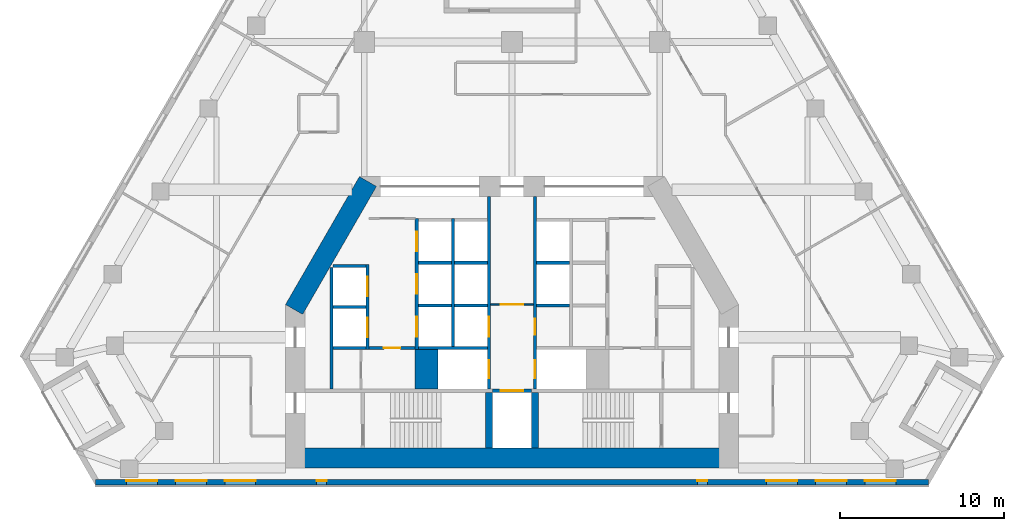
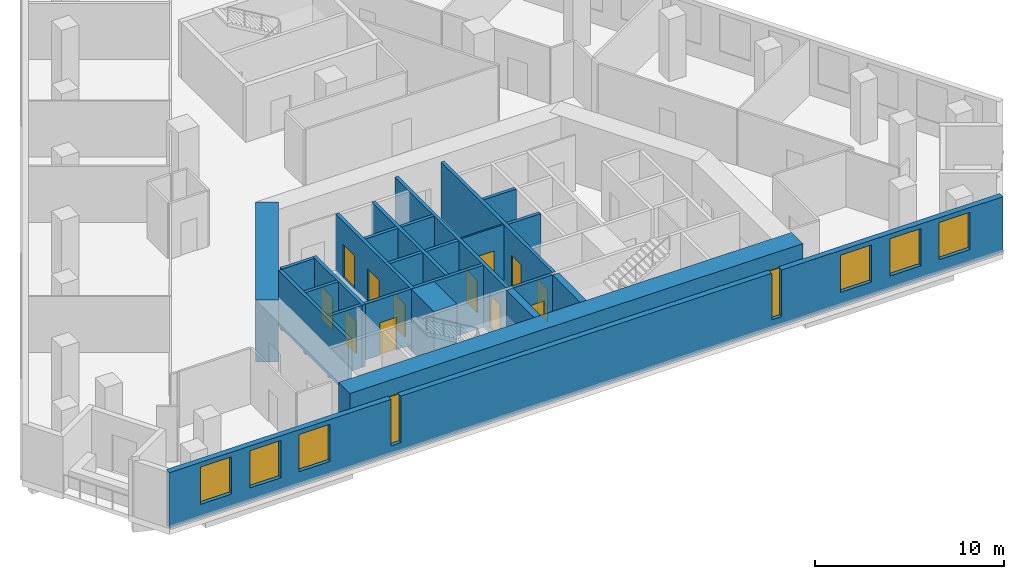
# One storey, part 4 of 10: 25 walls, 12 doors, 8 windows, 20 openings.
"""IFC4 building model written with IfcOpenShell, lengths in metres."""

from ifc_helpers import new_model, si_unit, direction, frame, frame_2d, origin, place, context, subcontext, project, spatial, rectangle, extrude, material, layer, layer_set, type_object, element, fill, save


model = new_model("IFC4")

# Units and contexts
model_context = context("Model", 3, precision=1e-05, world=origin(), true_north=direction((0.0, 1.0)))
body_context = subcontext(model_context, "Body", "Model", "MODEL_VIEW")
ifc_project = project(units=[si_unit("LENGTHUNIT", "METRE"), si_unit("AREAUNIT", "SQUARE_METRE"), si_unit("VOLUMEUNIT", "CUBIC_METRE"), si_unit("PLANEANGLEUNIT", "RADIAN"), si_unit("MASSUNIT", "GRAM", prefix="KILO")], contexts=[model_context])

# Site, building, storey
site_placement = place(None, origin())
site = spatial("IfcSite", under=ifc_project, at=site_placement, CompositionType="ELEMENT")
building_placement = place(site_placement, origin())
building = spatial("IfcBuilding", under=site, at=building_placement, Name="Fogline Exchange Tower", CompositionType="ELEMENT")
storey_placement = place(building_placement, frame((0.0, 0.0, 124.10009765625)))
storey = spatial("IfcBuildingStorey", under=building, at=storey_placement, Name="L27", CompositionType="ELEMENT", Elevation=124.10009765625)

# Wall, opening, door
ifc_material_1 = material(Name="Blockwork partition", Category="masonry")
ifc_layer_1 = layer(ifc_material_1, 0.10009765625)
ifc_layer_set_1 = layer_set([ifc_layer_1], Name="CW10")
wall_type_1 = type_object("IfcWallType", Name="CW10", PredefinedType="PARTITIONING", material=ifc_layer_set_1)
wall_1_placement = place(storey_placement, frame((-1.300048828125, 11.0, 0.0), z_axis=(0.0, 0.0, 1.0), x_axis=(1.0, 0.0, 0.0)))
wall_1 = element("IfcWall", 1, at=wall_1_placement, inside=storey, type_object=wall_type_1, Name="Lift lobby partition", PredefinedType="PARTITIONING", context=body_context, shape_type="SweptSolid", body=[
    extrude(rectangle(XDim=2.60009765625, YDim=0.10009765625, at=frame_2d((1.300048828125, 0.0))), origin(), (0.0, 0.0, 1.0), 3.599853515625),
])
opening_1_placement = place(wall_1_placement, frame((0.60009765625, 0.0, 0.0)))
opening_1 = element("IfcOpeningElement", 2, at=opening_1_placement, cuts=wall_1, Name="Opening T08-C019", PredefinedType="OPENING", context=body_context, shape_type="SweptSolid", body=[
    extrude(rectangle(XDim=1.39990234375, YDim=2.10009765625, at=frame_2d((0.699951171875, 1.050048828125))), frame((0.0, 0.06005859375, 0.0), z_axis=(0.0, -1.0, 0.0), x_axis=(1.0, 0.0, 0.0)), (0.0, 0.0, 1.0), 0.1201171875),
])
ifc_material_2 = material(Name="Steel and timber fire door", Category="steel")
door_type_1 = type_object("IfcDoorType", Name="D-LB1", OperationType="DOUBLE_DOOR_SINGLE_SWING", PredefinedType="DOOR", material=ifc_material_2)
door_1_placement = place(opening_1_placement, frame((1.39990234375, 0.0, 0.0), z_axis=(0.0, 0.0, 1.0), x_axis=(-1.0, 0.0, 0.0)))
door_1 = element("IfcDoor", 3, at=door_1_placement, inside=storey, type_object=door_type_1, Name="Door to firefighting lift lobby", OperationType="DOUBLE_DOOR_SINGLE_SWING", OverallHeight=2.10009765625, OverallWidth=1.39990234375, PredefinedType="DOOR", context=body_context, shape_type="SweptSolid", body=[
    extrude(rectangle(XDim=1.39990234375, YDim=2.10009765625, at=frame_2d((0.699951171875, 1.050048828125))), frame((0.0, 0.02490234375, 0.0), z_axis=(0.0, -1.0, 0.0), x_axis=(1.0, 0.0, 0.0)), (0.0, 0.0, 1.0), 0.050048828125),
])
fill(opening_1, door_1)

# Walls
ifc_material_3 = material(Name="Concrete C60", Category="concrete")
ifc_layer_2 = layer(ifc_material_3, 1.39990234375)
ifc_layer_set_2 = layer_set([ifc_layer_2], Name="CW140")
wall_type_2 = type_object("IfcWallType", Name="CW140", PredefinedType="SOLIDWALL", material=ifc_layer_set_2)
wall_2_placement = place(storey_placement, frame((-5.199951171875, 5.85009765625, -0.400146484375), z_axis=(0.0, 0.0, 1.0), x_axis=(0.0, 1.0, 0.0)))
element("IfcWall", 4, at=wall_2_placement, inside=storey, type_object=wall_type_2, Name="Lift shaft block wall", PredefinedType="SOLIDWALL", context=body_context, shape_type="SweptSolid", body=[
    extrude(rectangle(XDim=2.39990234375, YDim=1.39990234375, at=frame_2d((1.199951171875, 0.0))), origin(), (0.0, 0.0, 1.0), 4.0),
])
ifc_material_4 = material(Name="Concrete C40", Category="concrete")
ifc_layer_3 = layer(ifc_material_4, 0.199951171875)
ifc_layer_set_3 = layer_set([ifc_layer_3], Name="CW20")
wall_type_3 = type_object("IfcWallType", Name="CW20", PredefinedType="SOLIDWALL", material=ifc_layer_set_3)
wall_3_placement = place(storey_placement, frame((-11.0, 5.85009765625, 0.0), z_axis=(0.0, 0.0, 1.0), x_axis=(0.0, 1.0, 0.0)))
element("IfcWall", 5, at=wall_3_placement, inside=storey, type_object=wall_type_3, Name="Service room wall", PredefinedType="SOLIDWALL", context=body_context, shape_type="SweptSolid", body=[
    extrude(rectangle(XDim=7.39990234375, YDim=0.199951171875, at=frame_2d((3.699951171875, 0.0))), origin(), (0.0, 0.0, 1.0), 3.599853515625),
])

# Wall, opening, door
wall_4_placement = place(storey_placement, frame((-8.699951171875, 8.35009765625, 0.0), z_axis=(0.0, 0.0, 1.0), x_axis=(1.0, 0.0, 0.0)))
wall_4 = element("IfcWall", 6, at=wall_4_placement, inside=storey, type_object=wall_type_3, Name="WC wall", PredefinedType="SOLIDWALL", context=body_context, shape_type="SweptSolid", body=[
    extrude(rectangle(XDim=2.800048828125, YDim=0.199951171875, at=frame_2d((1.39990234375, 0.0))), origin(), (0.0, 0.0, 1.0), 3.599853515625),
])
opening_2_placement = place(wall_4_placement, frame((0.89990234375, 0.0, 0.0)))
opening_2 = element("IfcOpeningElement", 7, at=opening_2_placement, cuts=wall_4, Name="Opening T08-C008", PredefinedType="OPENING", context=body_context, shape_type="SweptSolid", body=[
    extrude(rectangle(XDim=1.0, YDim=2.10009765625, at=frame_2d((0.5, 1.050048828125))), frame((0.0, 0.10986328125, 0.0), z_axis=(0.0, -1.0, 0.0), x_axis=(1.0, 0.0, 0.0)), (0.0, 0.0, 1.0), 0.219970703125),
])
door_type_2 = type_object("IfcDoorType", Name="D-WC1", OperationType="SINGLE_SWING_LEFT", PredefinedType="DOOR", material=ifc_material_2)
door_2_placement = place(opening_2_placement, frame((1.0, 0.0, 0.0), z_axis=(0.0, 0.0, 1.0), x_axis=(-1.0, 0.0, 0.0)))
door_2 = element("IfcDoor", 8, at=door_2_placement, inside=storey, type_object=door_type_2, Name="Door to Men's WC", OperationType="SINGLE_SWING_LEFT", OverallHeight=2.10009765625, OverallWidth=1.0, PredefinedType="DOOR", context=body_context, shape_type="SweptSolid", body=[
    extrude(rectangle(XDim=1.0, YDim=2.10009765625, at=frame_2d((0.5, 1.050048828125))), frame((0.0, 0.02490234375, 0.0), z_axis=(0.0, -1.0, 0.0), x_axis=(1.0, 0.0, 0.0)), (0.0, 0.0, 1.0), 0.050048828125),
])
fill(opening_2, door_2)

ifc_layer_4 = layer(ifc_material_4, 0.199951171875)
ifc_layer_set_4 = layer_set([ifc_layer_4], Name="CW20R")
wall_type_4 = type_object("IfcWallType", Name="CW20R", PredefinedType="SOLIDWALL", material=ifc_layer_set_4)
wall_5_placement = place(storey_placement, frame((-1.199951171875, 5.75, -0.400146484375), z_axis=(0.0, 0.0, 1.0), x_axis=(1.0, 0.0, 0.0)))
wall_5 = element("IfcWall", 9, at=wall_5_placement, inside=storey, type_object=wall_type_4, Name="Stair enclosure wall", PredefinedType="SOLIDWALL", context=body_context, shape_type="SweptSolid", body=[
    extrude(rectangle(XDim=2.39990234375, YDim=0.199951171875, at=frame_2d((1.199951171875, 0.0))), origin(), (0.0, 0.0, 1.0), 4.0),
])
opening_3_placement = place(wall_5_placement, frame((0.5, 0.0, 0.39990234375)))
opening_3 = element("IfcOpeningElement", 10, at=opening_3_placement, cuts=wall_5, Name="Opening T08-LD09", PredefinedType="OPENING", context=body_context, shape_type="SweptSolid", body=[
    extrude(rectangle(XDim=1.39990234375, YDim=2.10009765625, at=frame_2d((0.699951171875, 1.050048828125))), frame((0.0, 0.10986328125, 0.0), z_axis=(0.0, -1.0, 0.0), x_axis=(1.0, 0.0, 0.0)), (0.0, 0.0, 1.0), 0.219970703125),
])
door_type_3 = type_object("IfcDoorType", Name="LD3", OperationType="SLIDING_TO_LEFT", PredefinedType="DOOR", material=ifc_material_2)
door_3_placement = place(opening_3_placement, origin())
door_3 = element("IfcDoor", 11, at=door_3_placement, inside=storey, type_object=door_type_3, Name="Landing door GL1", OperationType="SLIDING_TO_LEFT", OverallHeight=2.10009765625, OverallWidth=1.39990234375, PredefinedType="DOOR", context=body_context, shape_type="SweptSolid", body=[
    extrude(rectangle(XDim=1.39990234375, YDim=2.10009765625, at=frame_2d((0.699951171875, 1.050048828125))), frame((0.0, 0.02490234375, 0.0), z_axis=(0.0, -1.0, 0.0), x_axis=(1.0, 0.0, 0.0)), (0.0, 0.0, 1.0), 0.050048828125),
])
fill(opening_3, door_3)

# Wall, openings, doors
ifc_layer_5 = layer(ifc_material_4, 0.199951171875)
ifc_layer_set_5 = layer_set([ifc_layer_5], Name="CW20S")
wall_type_5 = type_object("IfcWallType", Name="CW20S", PredefinedType="SOLIDWALL", material=ifc_layer_set_5)
wall_6_placement = place(storey_placement, frame((-8.800048828125, 8.25, -0.400146484375), z_axis=(0.0, 0.0, 1.0), x_axis=(0.0, 1.0, 0.0)))
wall_6 = element("IfcWall", 12, at=wall_6_placement, inside=storey, type_object=wall_type_5, Name="Lift shaft wall", PredefinedType="SOLIDWALL", context=body_context, shape_type="SweptSolid", body=[
    extrude(rectangle(XDim=5.199951171875, YDim=0.199951171875, at=frame_2d((2.60009765625, 0.0))), origin(), (0.0, 0.0, 1.0), 4.0),
])
opening_4_placement = place(wall_6_placement, frame((0.75, 0.0, 0.39990234375)))
opening_4 = element("IfcOpeningElement", 13, at=opening_4_placement, cuts=wall_6, Name="Opening T08-LD01", PredefinedType="OPENING", context=body_context, shape_type="SweptSolid", body=[
    extrude(rectangle(XDim=1.199951171875, YDim=2.10009765625, at=frame_2d((0.60009765625, 1.050048828125))), frame((0.0, 0.10986328125, 0.0), z_axis=(0.0, -1.0, 0.0), x_axis=(1.0, 0.0, 0.0)), (0.0, 0.0, 1.0), 0.219970703125),
])
opening_5_placement = place(wall_6_placement, frame((3.25, 0.0, 0.39990234375)))
opening_5 = element("IfcOpeningElement", 14, at=opening_5_placement, cuts=wall_6, Name="Opening T08-LD02", PredefinedType="OPENING", context=body_context, shape_type="SweptSolid", body=[
    extrude(rectangle(XDim=1.199951171875, YDim=2.10009765625, at=frame_2d((0.60009765625, 1.050048828125))), frame((0.0, 0.10986328125, 0.0), z_axis=(0.0, -1.0, 0.0), x_axis=(1.0, 0.0, 0.0)), (0.0, 0.0, 1.0), 0.219970703125),
])
door_type_4 = type_object("IfcDoorType", Name="LD1", OperationType="SLIDING_TO_LEFT", PredefinedType="DOOR", material=ifc_material_2)
door_4_placement = place(opening_4_placement, origin())
door_4 = element("IfcDoor", 15, at=door_4_placement, inside=storey, type_object=door_type_4, Name="Landing door LR1", OperationType="SLIDING_TO_LEFT", OverallHeight=2.10009765625, OverallWidth=1.199951171875, PredefinedType="DOOR", context=body_context, shape_type="SweptSolid", body=[
    extrude(rectangle(XDim=1.199951171875, YDim=2.10009765625, at=frame_2d((0.60009765625, 1.050048828125))), frame((0.0, 0.02490234375, 0.0), z_axis=(0.0, -1.0, 0.0), x_axis=(1.0, 0.0, 0.0)), (0.0, 0.0, 1.0), 0.050048828125),
])
fill(opening_4, door_4)
door_5_placement = place(opening_5_placement, origin())
door_5 = element("IfcDoor", 16, at=door_5_placement, inside=storey, type_object=door_type_4, Name="Landing door LR2", OperationType="SLIDING_TO_LEFT", OverallHeight=2.10009765625, OverallWidth=1.199951171875, PredefinedType="DOOR", context=body_context, shape_type="SweptSolid", body=[
    extrude(rectangle(XDim=1.199951171875, YDim=2.10009765625, at=frame_2d((0.60009765625, 1.050048828125))), frame((0.0, 0.02490234375, 0.0), z_axis=(0.0, -1.0, 0.0), x_axis=(1.0, 0.0, 0.0)), (0.0, 0.0, 1.0), 0.050048828125),
])
fill(opening_5, door_5)

wall_7_placement = place(storey_placement, frame((-5.800048828125, 8.25, -0.400146484375), z_axis=(0.0, 0.0, 1.0), x_axis=(0.0, 1.0, 0.0)))
wall_7 = element("IfcWall", 17, at=wall_7_placement, inside=storey, type_object=wall_type_5, Name="Lift shaft wall", PredefinedType="SOLIDWALL", context=body_context, shape_type="SweptSolid", body=[
    extrude(rectangle(XDim=8.0, YDim=0.199951171875, at=frame_2d((4.0, 0.0))), origin(), (0.0, 0.0, 1.0), 4.0),
])
opening_6_placement = place(wall_7_placement, frame((0.800048828125, 0.0, 0.39990234375)))
opening_6 = element("IfcOpeningElement", 18, at=opening_6_placement, cuts=wall_7, Name="Opening T08-LD03", PredefinedType="OPENING", context=body_context, shape_type="SweptSolid", body=[
    extrude(rectangle(XDim=1.199951171875, YDim=2.10009765625, at=frame_2d((0.60009765625, 1.050048828125))), frame((0.0, 0.10986328125, 0.0), z_axis=(0.0, -1.0, 0.0), x_axis=(1.0, 0.0, 0.0)), (0.0, 0.0, 1.0), 0.219970703125),
])
opening_7_placement = place(wall_7_placement, frame((3.39990234375, 0.0, 0.39990234375)))
opening_7 = element("IfcOpeningElement", 19, at=opening_7_placement, cuts=wall_7, Name="Opening T08-LD04", PredefinedType="OPENING", context=body_context, shape_type="SweptSolid", body=[
    extrude(rectangle(XDim=1.199951171875, YDim=2.10009765625, at=frame_2d((0.60009765625, 1.050048828125))), frame((0.0, 0.10986328125, 0.0), z_axis=(0.0, -1.0, 0.0), x_axis=(1.0, 0.0, 0.0)), (0.0, 0.0, 1.0), 0.219970703125),
])
opening_8_placement = place(wall_7_placement, frame((6.0, 0.0, 0.39990234375)))
opening_8 = element("IfcOpeningElement", 20, at=opening_8_placement, cuts=wall_7, Name="Opening T08-LD05", PredefinedType="OPENING", context=body_context, shape_type="SweptSolid", body=[
    extrude(rectangle(XDim=1.199951171875, YDim=2.10009765625, at=frame_2d((0.60009765625, 1.050048828125))), frame((0.0, 0.10986328125, 0.0), z_axis=(0.0, -1.0, 0.0), x_axis=(1.0, 0.0, 0.0)), (0.0, 0.0, 1.0), 0.219970703125),
])
door_6_placement = place(opening_6_placement, origin())
door_6 = element("IfcDoor", 21, at=door_6_placement, inside=storey, type_object=door_type_4, Name="Landing door LR3", OperationType="SLIDING_TO_LEFT", OverallHeight=2.10009765625, OverallWidth=1.199951171875, PredefinedType="DOOR", context=body_context, shape_type="SweptSolid", body=[
    extrude(rectangle(XDim=1.199951171875, YDim=2.10009765625, at=frame_2d((0.60009765625, 1.050048828125))), frame((0.0, 0.02490234375, 0.0), z_axis=(0.0, -1.0, 0.0), x_axis=(1.0, 0.0, 0.0)), (0.0, 0.0, 1.0), 0.050048828125),
])
fill(opening_6, door_6)
door_7_placement = place(opening_7_placement, origin())
door_7 = element("IfcDoor", 22, at=door_7_placement, inside=storey, type_object=door_type_4, Name="Landing door LR4", OperationType="SLIDING_TO_LEFT", OverallHeight=2.10009765625, OverallWidth=1.199951171875, PredefinedType="DOOR", context=body_context, shape_type="SweptSolid", body=[
    extrude(rectangle(XDim=1.199951171875, YDim=2.10009765625, at=frame_2d((0.60009765625, 1.050048828125))), frame((0.0, 0.02490234375, 0.0), z_axis=(0.0, -1.0, 0.0), x_axis=(1.0, 0.0, 0.0)), (0.0, 0.0, 1.0), 0.050048828125),
])
fill(opening_7, door_7)
door_8_placement = place(opening_8_placement, origin())
door_8 = element("IfcDoor", 23, at=door_8_placement, inside=storey, type_object=door_type_4, Name="Landing door LR5", OperationType="SLIDING_TO_LEFT", OverallHeight=2.10009765625, OverallWidth=1.199951171875, PredefinedType="DOOR", context=body_context, shape_type="SweptSolid", body=[
    extrude(rectangle(XDim=1.199951171875, YDim=2.10009765625, at=frame_2d((0.60009765625, 1.050048828125))), frame((0.0, 0.02490234375, 0.0), z_axis=(0.0, -1.0, 0.0), x_axis=(1.0, 0.0, 0.0)), (0.0, 0.0, 1.0), 0.050048828125),
])
fill(opening_8, door_8)

# Wall
wall_8_placement = place(storey_placement, frame((-3.60009765625, 8.449951171875, -0.400146484375), z_axis=(0.0, 0.0, 1.0), x_axis=(0.0, 1.0, 0.0)))
element("IfcWall", 24, at=wall_8_placement, inside=storey, type_object=wall_type_5, Name="Lift shaft wall", PredefinedType="SOLIDWALL", context=body_context, shape_type="SweptSolid", body=[
    extrude(rectangle(XDim=7.800048828125, YDim=0.199951171875, at=frame_2d((3.89990234375, 0.0))), origin(), (0.0, 0.0, 1.0), 4.0),
])

# Wall, openings, doors
wall_9_placement = place(storey_placement, frame((-1.39990234375, 5.85009765625, -0.400146484375), z_axis=(0.0, 0.0, 1.0), x_axis=(0.0, 1.0, 0.0)))
wall_9 = element("IfcWall", 25, at=wall_9_placement, inside=storey, type_object=wall_type_5, Name="Lift lobby wall", PredefinedType="SOLIDWALL", context=body_context, shape_type="SweptSolid", body=[
    extrude(rectangle(XDim=11.75, YDim=0.199951171875, at=frame_2d((5.875, 0.0))), origin(), (0.0, 0.0, 1.0), 4.0),
])
opening_9_placement = place(wall_9_placement, frame((3.199951171875, 0.0, 0.39990234375)))
opening_9 = element("IfcOpeningElement", 26, at=opening_9_placement, cuts=wall_9, Name="Opening T08-LD06", PredefinedType="OPENING", context=body_context, shape_type="SweptSolid", body=[
    extrude(rectangle(XDim=1.199951171875, YDim=2.10009765625, at=frame_2d((0.60009765625, 1.050048828125))), frame((0.0, 0.10986328125, 0.0), z_axis=(0.0, -1.0, 0.0), x_axis=(1.0, 0.0, 0.0)), (0.0, 0.0, 1.0), 0.219970703125),
])
opening_10_placement = place(wall_9_placement, frame((0.64990234375, 0.0, 0.39990234375)))
opening_10 = element("IfcOpeningElement", 27, at=opening_10_placement, cuts=wall_9, Name="Opening T08-LD07", PredefinedType="OPENING", context=body_context, shape_type="SweptSolid", body=[
    extrude(rectangle(XDim=1.10009765625, YDim=2.10009765625, at=frame_2d((0.550048828125, 1.050048828125))), frame((0.0, 0.10986328125, 0.0), z_axis=(0.0, -1.0, 0.0), x_axis=(1.0, 0.0, 0.0)), (0.0, 0.0, 1.0), 0.219970703125),
])
door_9_placement = place(opening_9_placement, origin())
door_9 = element("IfcDoor", 28, at=door_9_placement, inside=storey, type_object=door_type_4, Name="Landing door LR6", OperationType="SLIDING_TO_LEFT", OverallHeight=2.10009765625, OverallWidth=1.199951171875, PredefinedType="DOOR", context=body_context, shape_type="SweptSolid", body=[
    extrude(rectangle(XDim=1.199951171875, YDim=2.10009765625, at=frame_2d((0.60009765625, 1.050048828125))), frame((0.0, 0.02490234375, 0.0), z_axis=(0.0, -1.0, 0.0), x_axis=(1.0, 0.0, 0.0)), (0.0, 0.0, 1.0), 0.050048828125),
])
fill(opening_9, door_9)
door_type_5 = type_object("IfcDoorType", Name="LD2", OperationType="SLIDING_TO_RIGHT", PredefinedType="DOOR", material=ifc_material_2)
door_10_placement = place(opening_10_placement, origin())
door_10 = element("IfcDoor", 29, at=door_10_placement, inside=storey, type_object=door_type_5, Name="Landing door FF1", OperationType="SLIDING_TO_RIGHT", OverallHeight=2.10009765625, OverallWidth=1.10009765625, PredefinedType="DOOR", context=body_context, shape_type="SweptSolid", body=[
    extrude(rectangle(XDim=1.10009765625, YDim=2.10009765625, at=frame_2d((0.550048828125, 1.050048828125))), frame((0.0, 0.02490234375, 0.0), z_axis=(0.0, -1.0, 0.0), x_axis=(1.0, 0.0, 0.0)), (0.0, 0.0, 1.0), 0.050048828125),
])
fill(opening_10, door_10)

wall_10_placement = place(storey_placement, frame((1.39990234375, 5.85009765625, -0.400146484375), z_axis=(0.0, 0.0, 1.0), x_axis=(0.0, 1.0, 0.0)))
wall_10 = element("IfcWall", 30, at=wall_10_placement, inside=storey, type_object=wall_type_5, Name="Lift lobby wall", PredefinedType="SOLIDWALL", context=body_context, shape_type="SweptSolid", body=[
    extrude(rectangle(XDim=11.75, YDim=0.199951171875, at=frame_2d((5.875, 0.0))), origin(), (0.0, 0.0, 1.0), 4.0),
])
opening_11_placement = place(wall_10_placement, frame((0.64990234375, 0.0, 0.39990234375)))
opening_11 = element("IfcOpeningElement", 31, at=opening_11_placement, cuts=wall_10, Name="Opening T08-LD08", PredefinedType="OPENING", context=body_context, shape_type="SweptSolid", body=[
    extrude(rectangle(XDim=1.10009765625, YDim=2.10009765625, at=frame_2d((0.550048828125, 1.050048828125))), frame((0.0, 0.10986328125, 0.0), z_axis=(0.0, -1.0, 0.0), x_axis=(1.0, 0.0, 0.0)), (0.0, 0.0, 1.0), 0.219970703125),
])
opening_12_placement = place(wall_10_placement, frame((3.300048828125, 0.0, 0.39990234375)))
opening_12 = element("IfcOpeningElement", 32, at=opening_12_placement, cuts=wall_10, Name="Opening T08-C006", PredefinedType="OPENING", context=body_context, shape_type="SweptSolid", body=[
    extrude(rectangle(XDim=1.0, YDim=2.10009765625, at=frame_2d((0.5, 1.050048828125))), frame((0.0, 0.10986328125, 0.0), z_axis=(0.0, -1.0, 0.0), x_axis=(1.0, 0.0, 0.0)), (0.0, 0.0, 1.0), 0.219970703125),
])
door_type_6 = type_object("IfcDoorType", Name="D-RM1", OperationType="SINGLE_SWING_LEFT", PredefinedType="DOOR", material=ifc_material_2)
door_11_placement = place(opening_12_placement, frame((1.0, 0.0, 0.0), z_axis=(0.0, 0.0, 1.0), x_axis=(-1.0, 0.0, 0.0)))
door_11 = element("IfcDoor", 33, at=door_11_placement, inside=storey, type_object=door_type_6, Name="Door to Archive Store", OperationType="SINGLE_SWING_RIGHT", OverallHeight=2.10009765625, OverallWidth=1.0, PredefinedType="DOOR", context=body_context, shape_type="SweptSolid", body=[
    extrude(rectangle(XDim=1.0, YDim=2.10009765625, at=frame_2d((0.5, 1.050048828125))), frame((0.0, 0.02490234375, 0.0), z_axis=(0.0, -1.0, 0.0), x_axis=(1.0, 0.0, 0.0)), (0.0, 0.0, 1.0), 0.050048828125),
])
fill(opening_12, door_11)
door_12_placement = place(opening_11_placement, origin())
door_12 = element("IfcDoor", 34, at=door_12_placement, inside=storey, type_object=door_type_5, Name="Landing door FF2", OperationType="SLIDING_TO_RIGHT", OverallHeight=2.10009765625, OverallWidth=1.10009765625, PredefinedType="DOOR", context=body_context, shape_type="SweptSolid", body=[
    extrude(rectangle(XDim=1.10009765625, YDim=2.10009765625, at=frame_2d((0.550048828125, 1.050048828125))), frame((0.0, 0.02490234375, 0.0), z_axis=(0.0, -1.0, 0.0), x_axis=(1.0, 0.0, 0.0)), (0.0, 0.0, 1.0), 0.050048828125),
])
fill(opening_11, door_12)

# Walls
wall_11_placement = place(storey_placement, frame((-10.89990234375, 8.35009765625, -0.400146484375), z_axis=(0.0, 0.0, 1.0), x_axis=(1.0, 0.0, 0.0)))
element("IfcWall", 35, at=wall_11_placement, inside=storey, type_object=wall_type_5, Name="Lift shaft wall", PredefinedType="SOLIDWALL", context=body_context, shape_type="SweptSolid", body=[
    extrude(rectangle(XDim=2.0, YDim=0.199951171875, at=frame_2d((1.0, 0.0))), origin(), (0.0, 0.0, 1.0), 4.0),
])
wall_12_placement = place(storey_placement, frame((-5.699951171875, 8.35009765625, -0.400146484375), z_axis=(0.0, 0.0, 1.0), x_axis=(1.0, 0.0, 0.0)))
element("IfcWall", 36, at=wall_12_placement, inside=storey, type_object=wall_type_5, Name="Lift shaft wall", PredefinedType="SOLIDWALL", context=body_context, shape_type="SweptSolid", body=[
    extrude(rectangle(XDim=4.199951171875, YDim=0.199951171875, at=frame_2d((2.10009765625, 0.0))), origin(), (0.0, 0.0, 1.0), 4.0),
])
for number, where, z_axis, x_axis, name in (
    (37, (-10.89990234375, 10.85009765625, -0.400146484375), (0.0, 0.0, 1.0), (1.0, 0.0, 0.0), "Lift shaft wall"),
    (38, (-10.89990234375, 13.35009765625, -0.400146484375), (0.0, 0.0, 1.0), (1.0, 0.0, 0.0), "Lift shaft wall"),
    (39, (-5.699951171875, 10.949951171875, -0.400146484375), (0.0, 0.0, 1.0), (1.0, 0.0, 0.0), "Lift shaft wall"),
    (40, (-5.699951171875, 13.550048828125, -0.400146484375), (0.0, 0.0, 1.0), (1.0, 0.0, 0.0), "Lift shaft wall"),
    (41, (-3.5, 10.949951171875, -0.400146484375), (0.0, 0.0, 1.0), (1.0, 0.0, 0.0), "Lift shaft wall"),
    (42, (-3.5, 13.550048828125, -0.400146484375), (0.0, 0.0, 1.0), (1.0, 0.0, 0.0), "Lift shaft wall"),
    (43, (1.5, 10.949951171875, -0.400146484375), (0.0, 0.0, 1.0), (1.0, 0.0, 0.0), "Lift shaft wall"),
    (44, (1.5, 13.550048828125, -0.400146484375), (0.0, 0.0, 1.0), (1.0, 0.0, 0.0), "Lift shaft wall"),
):
    element("IfcWall", number, at=place(storey_placement, frame(where, z_axis=z_axis, x_axis=x_axis)), inside=storey, type_object=wall_type_5, Name=name, PredefinedType="SOLIDWALL", context=body_context, shape_type="SweptSolid", body=[
        extrude(rectangle(XDim=2.0, YDim=0.199951171875, at=frame_2d((1.0, 0.0))), origin(), (0.0, 0.0, 1.0), 4.0),
    ])
ifc_layer_6 = layer(ifc_material_4, 0.39990234375)
ifc_layer_set_6 = layer_set([ifc_layer_6], Name="CW40R")
wall_type_6 = type_object("IfcWallType", Name="CW40R", PredefinedType="SOLIDWALL", material=ifc_layer_set_6)
for number, where, z_axis, x_axis, name in (
    (45, (-1.39990234375, 2.25, -0.400146484375), (0.0, 0.0, 1.0), (0.0, 1.0, 0.0), "Stair and lift shaft wall"),
    (46, (1.39990234375, 2.25, -0.400146484375), (0.0, 0.0, 1.0), (0.0, 1.0, 0.0), "Stair and lift shaft wall"),
):
    element("IfcWall", number, at=place(storey_placement, frame(where, z_axis=z_axis, x_axis=x_axis)), inside=storey, type_object=wall_type_6, Name=name, PredefinedType="SOLIDWALL", context=body_context, shape_type="SweptSolid", body=[
        extrude(rectangle(XDim=3.39990234375, YDim=0.39990234375, at=frame_2d((1.699951171875, 0.0))), origin(), (0.0, 0.0, 1.0), 4.0),
    ])

# Wall, openings, windows
ifc_material_5 = material(Name="Brick masonry", Category="masonry")
ifc_layer_7 = layer(ifc_material_5, 0.340087890625)
ifc_layer_set_7 = layer_set([ifc_layer_7], Name="FW1")
wall_type_7 = type_object("IfcWallType", Name="FW1", PredefinedType="SOLIDWALL", material=ifc_layer_set_7)
wall_13_placement = place(storey_placement, frame((-25.393310546875, 0.169921875, 0.0), z_axis=(0.0, 0.0, 1.0), x_axis=(1.0, 0.0, 0.0)))
wall_13 = element("IfcWall", 47, at=wall_13_placement, inside=storey, type_object=wall_type_7, Name="Brick wall L27 S", PredefinedType="SOLIDWALL", context=body_context, shape_type="SweptSolid", body=[
    extrude(rectangle(XDim=50.78662109375, YDim=0.340087890625, at=frame_2d((25.393310546875, 0.0))), origin(), (0.0, 0.0, 1.0), 3.599853515625),
])
opening_13_placement = place(wall_13_placement, frame((1.893310546875, 0.0, 0.89990234375)))
opening_13 = element("IfcOpeningElement", 48, at=opening_13_placement, cuts=wall_13, Name="Opening W1", PredefinedType="OPENING", context=body_context, shape_type="SweptSolid", body=[
    extrude(rectangle(XDim=1.885009765625, YDim=2.39990234375, at=frame_2d((0.9423828125, 1.199951171875))), frame((0.0, 0.18017578125, 0.0), z_axis=(0.0, -1.0, 0.0), x_axis=(1.0, 0.0, 0.0)), (0.0, 0.0, 1.0), 0.360107421875),
])
opening_14_placement = place(wall_13_placement, frame((4.893310546875, 0.0, 0.89990234375)))
opening_14 = element("IfcOpeningElement", 49, at=opening_14_placement, cuts=wall_13, Name="Opening W1", PredefinedType="OPENING", context=body_context, shape_type="SweptSolid", body=[
    extrude(rectangle(XDim=1.885009765625, YDim=2.39990234375, at=frame_2d((0.9423828125, 1.199951171875))), frame((0.0, 0.18017578125, 0.0), z_axis=(0.0, -1.0, 0.0), x_axis=(1.0, 0.0, 0.0)), (0.0, 0.0, 1.0), 0.360107421875),
])
opening_15_placement = place(wall_13_placement, frame((7.893310546875, 0.0, 0.89990234375)))
opening_15 = element("IfcOpeningElement", 50, at=opening_15_placement, cuts=wall_13, Name="Opening W1", PredefinedType="OPENING", context=body_context, shape_type="SweptSolid", body=[
    extrude(rectangle(XDim=1.885009765625, YDim=2.39990234375, at=frame_2d((0.9423828125, 1.199951171875))), frame((0.0, 0.18017578125, 0.0), z_axis=(0.0, -1.0, 0.0), x_axis=(1.0, 0.0, 0.0)), (0.0, 0.0, 1.0), 0.360107421875),
])
opening_16_placement = place(wall_13_placement, frame((40.893310546875, 0.0, 0.89990234375)))
opening_16 = element("IfcOpeningElement", 51, at=opening_16_placement, cuts=wall_13, Name="Opening W1", PredefinedType="OPENING", context=body_context, shape_type="SweptSolid", body=[
    extrude(rectangle(XDim=1.885009765625, YDim=2.39990234375, at=frame_2d((0.9423828125, 1.199951171875))), frame((0.0, 0.18017578125, 0.0), z_axis=(0.0, -1.0, 0.0), x_axis=(1.0, 0.0, 0.0)), (0.0, 0.0, 1.0), 0.360107421875),
])
opening_17_placement = place(wall_13_placement, frame((43.893310546875, 0.0, 0.89990234375)))
opening_17 = element("IfcOpeningElement", 52, at=opening_17_placement, cuts=wall_13, Name="Opening W1", PredefinedType="OPENING", context=body_context, shape_type="SweptSolid", body=[
    extrude(rectangle(XDim=1.885009765625, YDim=2.39990234375, at=frame_2d((0.9423828125, 1.199951171875))), frame((0.0, 0.18017578125, 0.0), z_axis=(0.0, -1.0, 0.0), x_axis=(1.0, 0.0, 0.0)), (0.0, 0.0, 1.0), 0.360107421875),
])
opening_18_placement = place(wall_13_placement, frame((46.893310546875, 0.0, 0.89990234375)))
opening_18 = element("IfcOpeningElement", 53, at=opening_18_placement, cuts=wall_13, Name="Opening W1", PredefinedType="OPENING", context=body_context, shape_type="SweptSolid", body=[
    extrude(rectangle(XDim=1.885009765625, YDim=2.39990234375, at=frame_2d((0.9423828125, 1.199951171875))), frame((0.0, 0.18017578125, 0.0), z_axis=(0.0, -1.0, 0.0), x_axis=(1.0, 0.0, 0.0)), (0.0, 0.0, 1.0), 0.360107421875),
])
opening_19_placement = place(wall_13_placement, frame((13.4931640625, 0.0, 0.60009765625)))
opening_19 = element("IfcOpeningElement", 54, at=opening_19_placement, cuts=wall_13, Name="Opening W5", PredefinedType="OPENING", context=body_context, shape_type="SweptSolid", body=[
    extrude(rectangle(XDim=0.60009765625, YDim=3.0, at=frame_2d((0.300048828125, 1.5))), frame((0.0, 0.18017578125, 0.0), z_axis=(0.0, -1.0, 0.0), x_axis=(1.0, 0.0, 0.0)), (0.0, 0.0, 1.0), 0.360107421875),
])
opening_20_placement = place(wall_13_placement, frame((36.693359375, 0.0, 0.60009765625)))
opening_20 = element("IfcOpeningElement", 55, at=opening_20_placement, cuts=wall_13, Name="Opening W5", PredefinedType="OPENING", context=body_context, shape_type="SweptSolid", body=[
    extrude(rectangle(XDim=0.60009765625, YDim=3.0, at=frame_2d((0.300048828125, 1.5))), frame((0.0, 0.18017578125, 0.0), z_axis=(0.0, -1.0, 0.0), x_axis=(1.0, 0.0, 0.0)), (0.0, 0.0, 1.0), 0.360107421875),
])
ifc_material_6 = material(Name="Aluminium and glass", Category="aluminium")
window_type_1 = type_object("IfcWindowType", Name="W1", PartitioningType="SINGLE_PANEL", PredefinedType="WINDOW", material=ifc_material_6)
window_1_placement = place(opening_13_placement, origin())
window_1 = element("IfcWindow", 56, at=window_1_placement, inside=storey, type_object=window_type_1, Name="W1 W1", OverallHeight=2.39990234375, OverallWidth=1.885009765625, PartitioningType="SINGLE_PANEL", PredefinedType="WINDOW", context=body_context, shape_type="SweptSolid", body=[
    extrude(rectangle(XDim=1.885009765625, YDim=2.39990234375, at=frame_2d((0.9423828125, 1.199951171875))), frame((0.0, 0.110107421875, 0.0), z_axis=(0.0, -1.0, 0.0), x_axis=(1.0, 0.0, 0.0)), (0.0, 0.0, 1.0), 0.06005859375),
])
fill(opening_13, window_1)
window_2_placement = place(opening_14_placement, origin())
window_2 = element("IfcWindow", 57, at=window_2_placement, inside=storey, type_object=window_type_1, Name="W1 W1", OverallHeight=2.39990234375, OverallWidth=1.885009765625, PartitioningType="SINGLE_PANEL", PredefinedType="WINDOW", context=body_context, shape_type="SweptSolid", body=[
    extrude(rectangle(XDim=1.885009765625, YDim=2.39990234375, at=frame_2d((0.9423828125, 1.199951171875))), frame((0.0, 0.110107421875, 0.0), z_axis=(0.0, -1.0, 0.0), x_axis=(1.0, 0.0, 0.0)), (0.0, 0.0, 1.0), 0.06005859375),
])
fill(opening_14, window_2)
window_3_placement = place(opening_15_placement, origin())
window_3 = element("IfcWindow", 58, at=window_3_placement, inside=storey, type_object=window_type_1, Name="W1 W1", OverallHeight=2.39990234375, OverallWidth=1.885009765625, PartitioningType="SINGLE_PANEL", PredefinedType="WINDOW", context=body_context, shape_type="SweptSolid", body=[
    extrude(rectangle(XDim=1.885009765625, YDim=2.39990234375, at=frame_2d((0.9423828125, 1.199951171875))), frame((0.0, 0.110107421875, 0.0), z_axis=(0.0, -1.0, 0.0), x_axis=(1.0, 0.0, 0.0)), (0.0, 0.0, 1.0), 0.06005859375),
])
fill(opening_15, window_3)
window_4_placement = place(opening_16_placement, origin())
window_4 = element("IfcWindow", 59, at=window_4_placement, inside=storey, type_object=window_type_1, Name="W1 W1", OverallHeight=2.39990234375, OverallWidth=1.885009765625, PartitioningType="SINGLE_PANEL", PredefinedType="WINDOW", context=body_context, shape_type="SweptSolid", body=[
    extrude(rectangle(XDim=1.885009765625, YDim=2.39990234375, at=frame_2d((0.9423828125, 1.199951171875))), frame((0.0, 0.110107421875, 0.0), z_axis=(0.0, -1.0, 0.0), x_axis=(1.0, 0.0, 0.0)), (0.0, 0.0, 1.0), 0.06005859375),
])
fill(opening_16, window_4)
window_5_placement = place(opening_17_placement, origin())
window_5 = element("IfcWindow", 60, at=window_5_placement, inside=storey, type_object=window_type_1, Name="W1 W1", OverallHeight=2.39990234375, OverallWidth=1.885009765625, PartitioningType="SINGLE_PANEL", PredefinedType="WINDOW", context=body_context, shape_type="SweptSolid", body=[
    extrude(rectangle(XDim=1.885009765625, YDim=2.39990234375, at=frame_2d((0.9423828125, 1.199951171875))), frame((0.0, 0.110107421875, 0.0), z_axis=(0.0, -1.0, 0.0), x_axis=(1.0, 0.0, 0.0)), (0.0, 0.0, 1.0), 0.06005859375),
])
fill(opening_17, window_5)
window_6_placement = place(opening_18_placement, origin())
window_6 = element("IfcWindow", 61, at=window_6_placement, inside=storey, type_object=window_type_1, Name="W1 W1", OverallHeight=2.39990234375, OverallWidth=1.885009765625, PartitioningType="SINGLE_PANEL", PredefinedType="WINDOW", context=body_context, shape_type="SweptSolid", body=[
    extrude(rectangle(XDim=1.885009765625, YDim=2.39990234375, at=frame_2d((0.9423828125, 1.199951171875))), frame((0.0, 0.110107421875, 0.0), z_axis=(0.0, -1.0, 0.0), x_axis=(1.0, 0.0, 0.0)), (0.0, 0.0, 1.0), 0.06005859375),
])
fill(opening_18, window_6)
window_type_2 = type_object("IfcWindowType", Name="W5", PartitioningType="SINGLE_PANEL", PredefinedType="WINDOW", material=ifc_material_6)
window_7_placement = place(opening_19_placement, origin())
window_7 = element("IfcWindow", 62, at=window_7_placement, inside=storey, type_object=window_type_2, Name="W5 W5", OverallHeight=3.0, OverallWidth=0.60009765625, PartitioningType="SINGLE_PANEL", PredefinedType="WINDOW", context=body_context, shape_type="SweptSolid", body=[
    extrude(rectangle(XDim=0.60009765625, YDim=3.0, at=frame_2d((0.300048828125, 1.5))), frame((0.0, 0.110107421875, 0.0), z_axis=(0.0, -1.0, 0.0), x_axis=(1.0, 0.0, 0.0)), (0.0, 0.0, 1.0), 0.06005859375),
])
fill(opening_19, window_7)
window_8_placement = place(opening_20_placement, origin())
window_8 = element("IfcWindow", 63, at=window_8_placement, inside=storey, type_object=window_type_2, Name="W5 W5", OverallHeight=3.0, OverallWidth=0.60009765625, PartitioningType="SINGLE_PANEL", PredefinedType="WINDOW", context=body_context, shape_type="SweptSolid", body=[
    extrude(rectangle(XDim=0.60009765625, YDim=3.0, at=frame_2d((0.300048828125, 1.5))), frame((0.0, 0.110107421875, 0.0), z_axis=(0.0, -1.0, 0.0), x_axis=(1.0, 0.0, 0.0)), (0.0, 0.0, 1.0), 0.06005859375),
])
fill(opening_20, window_8)

# Walls
ifc_layer_8 = layer(ifc_material_3, 1.199951171875)
ifc_layer_set_8 = layer_set([ifc_layer_8], Name="SW02")
wall_type_8 = type_object("IfcWallType", Name="SW02", PredefinedType="SHEAR", material=ifc_layer_set_8)
wall_14_placement = place(storey_placement, frame((-13.800048828125, 1.64990234375, 0.0), z_axis=(0.0, 0.0, 1.0), x_axis=(1.0, 0.0, 0.0)))
element("IfcWall", 64, at=wall_14_placement, inside=storey, type_object=wall_type_8, Name="L27-W901", PredefinedType="SHEAR", context=body_context, shape_type="SweptSolid", body=[
    extrude(rectangle(XDim=27.60009765625, YDim=1.199951171875, at=frame_2d((13.800048828125, 0.0))), origin(), (0.0, 0.0, 1.0), 4.0),
])
wall_15_placement = place(storey_placement, frame((-8.776611328125, 18.5, 0.0), z_axis=(0.0, 0.0, 1.0), x_axis=(-0.499998513025, -0.866026262288, 0.0)))
element("IfcWall", 65, at=wall_15_placement, inside=storey, type_object=wall_type_8, Name="L27-W905", PredefinedType="SHEAR", context=body_context, shape_type="SweptSolid", body=[
    extrude(rectangle(XDim=9.0078125, YDim=1.199951171875, at=frame_2d((4.50390625, 0.0))), origin(), (0.0, 0.0, 1.0), 4.0),
])

save(model, "model.ifc")
